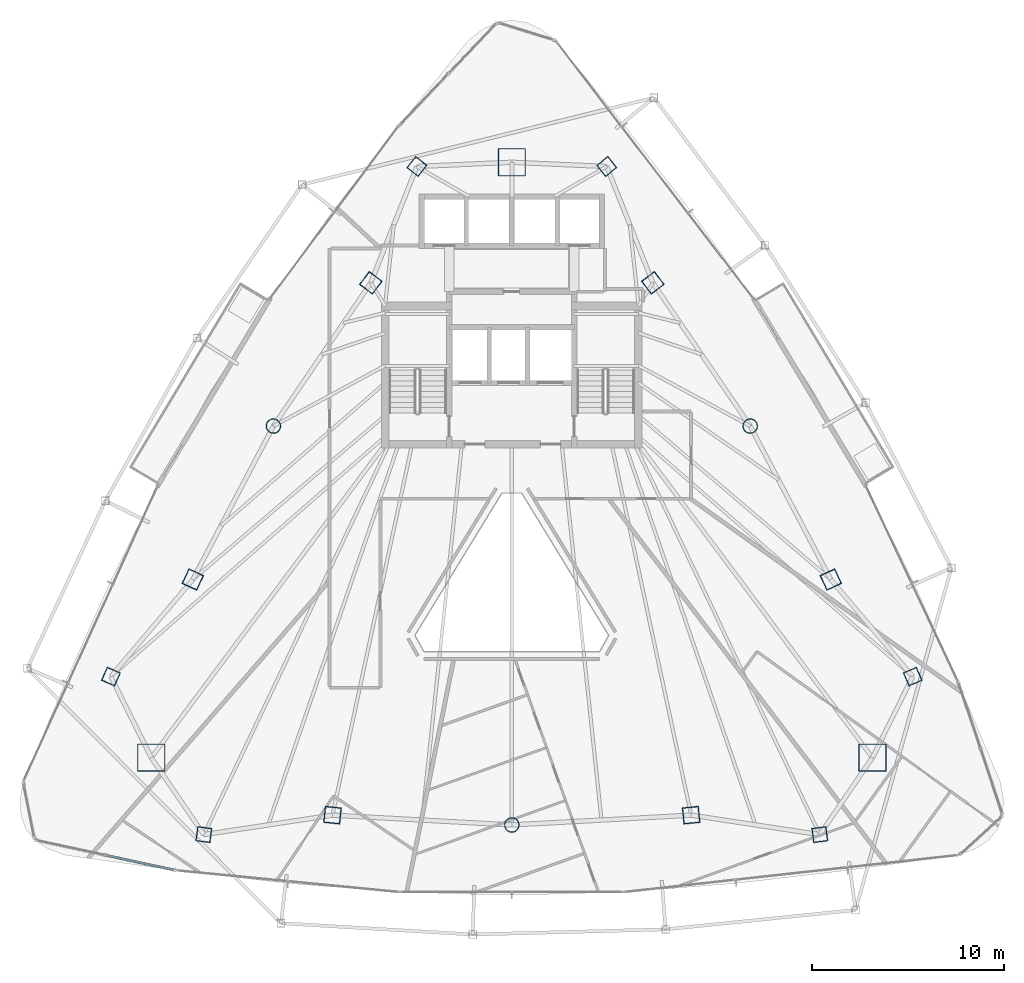
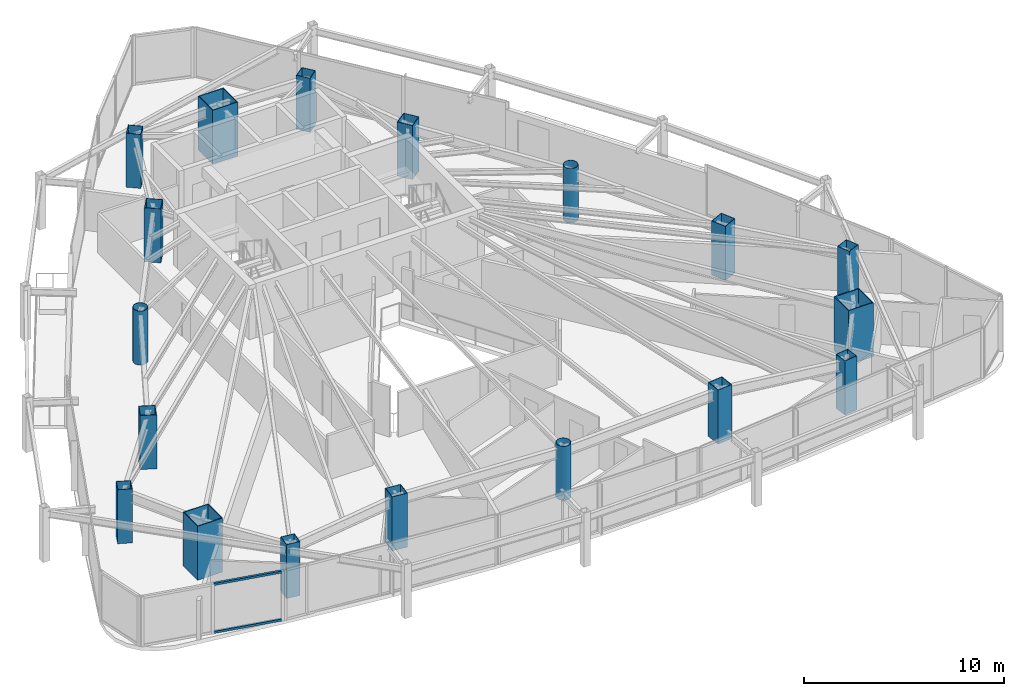
# One storey, part 1 of 30: 18 columns, 2 members, 1 element without a shape of its own.
"""IFC4 building model written with IfcOpenShell, lengths in metres."""

from ifc_helpers import new_model, si_unit, direction, frame, origin, origin_2d, place, context, subcontext, project, spatial, hollow_rectangle, hollow_circle, extrude, material, layer, layer_set, material_profile, profile_set, type_object, element, aggregate, save


model = new_model("IFC4")

# Units and contexts
model_context = context("Model", 3, precision=1e-05, world=origin(), true_north=direction((0.0, 1.0)))
body_context = subcontext(model_context, "Body", "Model", "MODEL_VIEW")
ifc_project = project(units=[si_unit("LENGTHUNIT", "METRE"), si_unit("AREAUNIT", "SQUARE_METRE"), si_unit("VOLUMEUNIT", "CUBIC_METRE"), si_unit("PLANEANGLEUNIT", "RADIAN"), si_unit("MASSUNIT", "GRAM", prefix="KILO")], contexts=[model_context])

# Site, building, storey
site_placement = place(None, origin())
site = spatial("IfcSite", under=ifc_project, at=site_placement, CompositionType="ELEMENT")
building_placement = place(site_placement, origin())
building = spatial("IfcBuilding", under=site, at=building_placement, Name="Orvanel Arch Residences", CompositionType="ELEMENT")
storey_placement = place(building_placement, frame((0.0, 0.0, 136.39990234375)))
storey = spatial("IfcBuildingStorey", under=building, at=storey_placement, Name="L38", CompositionType="ELEMENT", Elevation=136.39990234375)

# Columns
ifc_material_1 = material(Name="Structural steel AS/NZS 1163 C450L0 (Grade 450)", Category="steel")
ifc_material_profile_1 = material_profile(ifc_material_1, hollow_circle(Radius=0.381103515625, WallThickness=0.02197265625, at=origin_2d()), Name="CHS762x22")
ifc_profile_set_1 = profile_set([ifc_material_profile_1], Name="Structural steel AS/NZS 1163 C450L0 (Grade 450)")
column_type_1 = type_object("IfcColumnType", Name="CC-762", PredefinedType="COLUMN", material=ifc_profile_set_1)
for number, where, z_axis, x_axis, name in (
    (1, (20.569091796875, 27.64111328125, 0.0), (0.0, 0.0, 1.0), (1.0, 0.0, 0.0), "L38 High-Rise Tube Column 02"),
    (2, (33.0, 6.843994140625, 0.0), (0.0, 0.0, 1.0), (1.0, 0.0, 0.0), "L38 High-Rise Tube Column 05"),
    (3, (45.430908203125, 27.64111328125, 0.0), (0.0, 0.0, 1.0), (1.0, 0.0, 0.0), "L38 High-Rise Tube Column 08"),
):
    element("IfcColumn", number, at=place(storey_placement, frame(where, z_axis=z_axis, x_axis=x_axis)), inside=storey, type_object=column_type_1, Name=name, PredefinedType="COLUMN", context=body_context, shape_type="SweptSolid", body=[
        extrude(hollow_circle(Radius=0.381103515625, WallThickness=0.02197265625, at=origin_2d()), origin(), (0.0, 0.0, 1.0), 3.300048828125),
    ])
ifc_material_2 = material(Name="Structural steel AS/NZS 3678 Grade 450", Category="steel")
ifc_material_profile_2 = material_profile(ifc_material_2, hollow_rectangle(XDim=1.449951171875, YDim=1.449951171875, WallThickness=0.044921875, at=origin_2d()), Name="BOX1450x1450x45")
ifc_profile_set_2 = profile_set([ifc_material_profile_2], Name="Structural steel AS/NZS 3678 Grade 450")
column_type_2 = type_object("IfcColumnType", Name="MC-1450", PredefinedType="COLUMN", material=ifc_profile_set_2)
for number, where, z_axis, x_axis, name in (
    (4, (33.0, 41.39794921875, 0.0), (0.0, 0.0, 1.0), (1.0, 0.0, 0.0), "L38 Corner Mega-Column 1"),
    (5, (14.198974609375, 10.35107421875, 0.0), (0.0, 0.0, 1.0), (1.0, 0.0, 0.0), "L38 Corner Mega-Column 2"),
    (6, (51.801025390625, 10.35107421875, 0.0), (0.0, 0.0, 1.0), (1.0, 0.0, 0.0), "L38 Corner Mega-Column 3"),
):
    element("IfcColumn", number, at=place(storey_placement, frame(where, z_axis=z_axis, x_axis=x_axis)), inside=storey, type_object=column_type_2, Name=name, PredefinedType="COLUMN", context=body_context, shape_type="SweptSolid", body=[
        extrude(hollow_rectangle(XDim=1.449951171875, YDim=1.449951171875, WallThickness=0.044921875, at=origin_2d()), origin(), (0.0, 0.0, 1.0), 3.300048828125),
    ])
ifc_material_3 = material(Name="Structural steel AS/NZS 3678 Grade 350", Category="steel")
ifc_material_profile_3 = material_profile(ifc_material_3, hollow_rectangle(XDim=0.75, YDim=0.75, WallThickness=0.02490234375, at=origin_2d()), Name="BOX750x750x25")
ifc_profile_set_3 = profile_set([ifc_material_profile_3], Name="Structural steel AS/NZS 3678 Grade 350")
column_type_3 = type_object("IfcColumnType", Name="TC-750", PredefinedType="COLUMN", material=ifc_profile_set_3)
for number, where, z_axis, x_axis, name in (
    (7, (28.050048828125, 41.177978515625, 0.0), (0.0, 0.0, 1.0), (0.623879596709, 0.781520472419, 0.0), "L38 Mid-Rise Buttress Tube Column 01"),
    (8, (12.094970703125, 14.580078125, 0.0), (0.0, 0.0, 1.0), (0.397147890635, 0.917754625684, 0.0), "L38 Mid-Rise Buttress Tube Column 02"),
    (9, (16.94091796875, 6.339111328125, 0.0), (0.0, 0.0, 1.0), (-0.99189444259, 0.127064608601, 0.0), "L38 Mid-Rise Buttress Tube Column 03"),
    (10, (49.05908203125, 6.339111328125, 0.0), (0.0, 0.0, 1.0), (0.99189444259, 0.127064608601, 0.0), "L38 Mid-Rise Buttress Tube Column 04"),
    (11, (53.905029296875, 14.580078125, 0.0), (0.0, 0.0, 1.0), (-0.397147890635, 0.917754625684, 0.0), "L38 Mid-Rise Buttress Tube Column 05"),
    (12, (37.949951171875, 41.177978515625, 0.0), (0.0, 0.0, 1.0), (-0.623879596709, 0.781520472419, 0.0), "L38 Mid-Rise Buttress Tube Column 06"),
):
    element("IfcColumn", number, at=place(storey_placement, frame(where, z_axis=z_axis, x_axis=x_axis)), inside=storey, type_object=column_type_3, Name=name, PredefinedType="COLUMN", context=body_context, shape_type="SweptSolid", body=[
        extrude(hollow_rectangle(XDim=0.75, YDim=0.75, WallThickness=0.02490234375, at=origin_2d()), origin(), (0.0, 0.0, 1.0), 3.300048828125),
    ])
ifc_material_profile_4 = material_profile(ifc_material_3, hollow_rectangle(XDim=0.85009765625, YDim=0.85009765625, WallThickness=0.028076171875, at=origin_2d()), Name="BOX850x850x28")
ifc_profile_set_4 = profile_set([ifc_material_profile_4], Name="Structural steel AS/NZS 3678 Grade 350")
column_type_4 = type_object("IfcColumnType", Name="TC-850", PredefinedType="COLUMN", material=ifc_profile_set_4)
for number, where, z_axis, x_axis, name in (
    (13, (25.64794921875, 35.113037109375, 0.0), (0.0, 0.0, 1.0), (0.600420225326, 0.799684658487, 0.0), "L38 High-Rise Tube Column 01"),
    (14, (16.366943359375, 19.64208984375, 0.0), (0.0, 0.0, 1.0), (0.422618261741, 0.906307787037, 0.0), "L38 High-Rise Tube Column 03"),
    (15, (23.64892578125, 7.35498046875, 0.0), (0.0, 0.0, 1.0), (-0.994880708829, 0.101056297183, 0.0), "L38 High-Rise Tube Column 04"),
    (16, (42.35107421875, 7.35498046875, 0.0), (0.0, 0.0, 1.0), (0.994880708829, 0.101056297183, 0.0), "L38 High-Rise Tube Column 06"),
    (17, (49.633056640625, 19.64208984375, 0.0), (0.0, 0.0, 1.0), (-0.422618261741, 0.906307787037, 0.0), "L38 High-Rise Tube Column 07"),
    (18, (40.35205078125, 35.113037109375, 0.0), (0.0, 0.0, 1.0), (-0.600420225326, 0.799684658487, 0.0), "L38 High-Rise Tube Column 09"),
):
    element("IfcColumn", number, at=place(storey_placement, frame(where, z_axis=z_axis, x_axis=x_axis)), inside=storey, type_object=column_type_4, Name=name, PredefinedType="COLUMN", context=body_context, shape_type="SweptSolid", body=[
        extrude(hollow_rectangle(XDim=0.85009765625, YDim=0.85009765625, WallThickness=0.028076171875, at=origin_2d()), origin(), (0.0, 0.0, 1.0), 3.300048828125),
    ])

# Curtain wall, members
ifc_material_4 = material(Name="Bronze-anodised aluminium AA6063-T6", Category="aluminium")
ifc_layer = layer(ifc_material_4, 0.18994140625)
ifc_layer_set = layer_set([ifc_layer], Name="Bronze-anodised aluminium AA6063-T6")
curtain_wall_type = type_object("IfcCurtainWallType", Name="CW5-CRN-SYS", PredefinedType="NOTDEFINED", material=ifc_layer_set)
curtain_wall_placement = place(storey_placement, origin())
curtain_wall = element("IfcCurtainWall", 19, at=curtain_wall_placement, inside=storey, type_object=curtain_wall_type, Name="L38 CW5-CRN-SYS Unitised Curtain Wall", PredefinedType="NOTDEFINED")
ifc_material_profile_5 = material_profile(ifc_material_4, hollow_rectangle(XDim=0.1298828125, YDim=0.1298828125, WallThickness=0.00439453125, at=origin_2d()), Name="ALU130x130x4.5")
ifc_profile_set_5 = profile_set([ifc_material_profile_5], Name="Bronze-anodised aluminium AA6063-T6")
member_type = type_object("IfcMemberType", Name="TRN-130x130", PredefinedType="USERDEFINED", material=ifc_profile_set_5)
member_1_placement = place(storey_placement, frame((11.88671875, 5.251708984375, 0.065185546875), z_axis=(0.977394103242, -0.21142555888, 0.0), x_axis=(0.21142555888, 0.977394103242, 0.0)))
member_1 = element("IfcMember", 20, at=member_1_placement, type_object=member_type, Name="CW-S5 transom 2.1", ObjectType="TRANSOM", PredefinedType="USERDEFINED", context=body_context, shape_type="SweptSolid", body=[
    extrude(hollow_rectangle(XDim=0.1298828125, YDim=0.1298828125, WallThickness=0.00439453125, at=origin_2d()), origin(), (0.0, 0.0, 1.0), 3.533447265625),
])
member_2_placement = place(storey_placement, frame((11.88671875, 5.251708984375, 2.9951171875), z_axis=(0.977394103242, -0.21142555888, 0.0), x_axis=(0.21142555888, 0.977394103242, 0.0)))
member_2 = element("IfcMember", 21, at=member_2_placement, type_object=member_type, Name="CW-S5 transom 2.2", ObjectType="TRANSOM", PredefinedType="USERDEFINED", context=body_context, shape_type="SweptSolid", body=[
    extrude(hollow_rectangle(XDim=0.1298828125, YDim=0.1298828125, WallThickness=0.00439453125, at=origin_2d()), origin(), (0.0, 0.0, 1.0), 3.533447265625),
])
aggregate(curtain_wall, [member_1, member_2])

save(model, "model.ifc")
